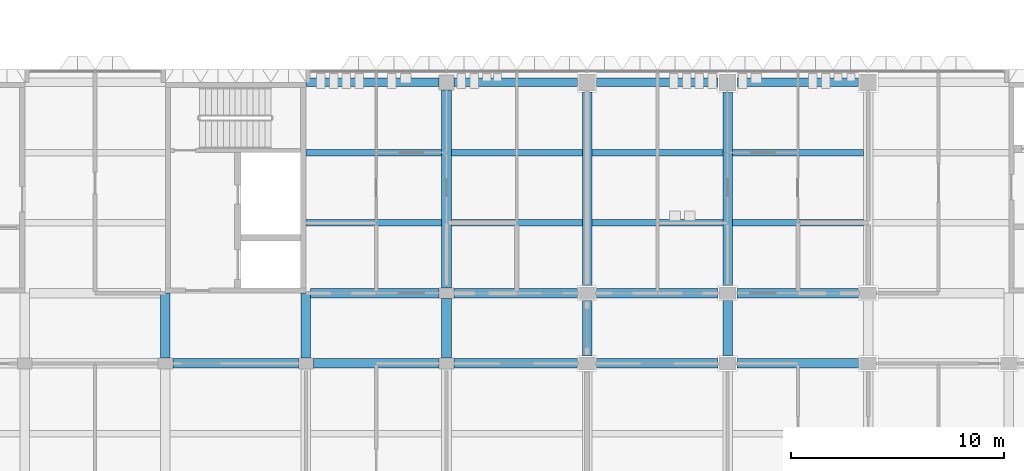
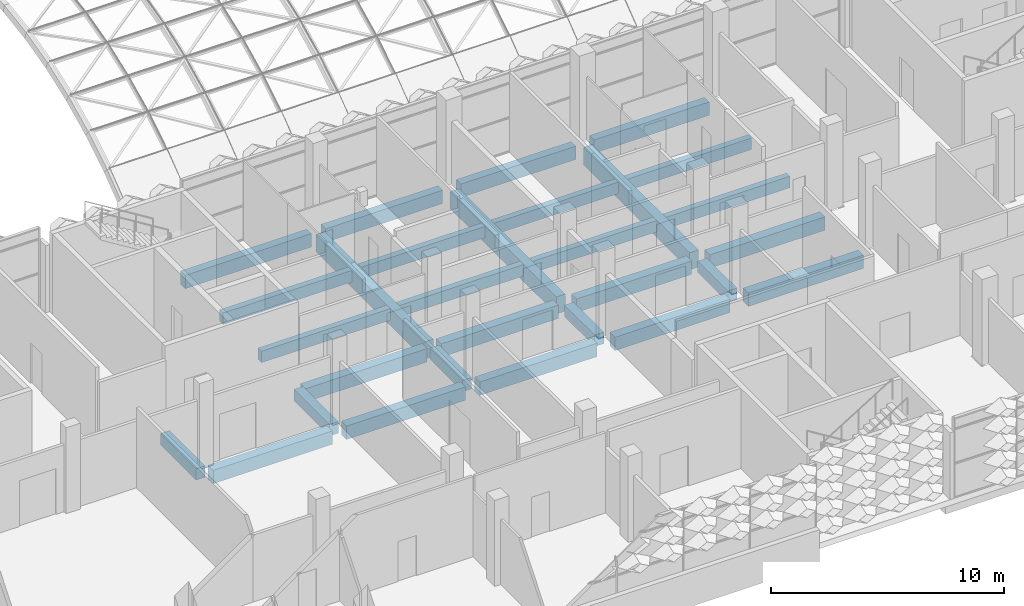
# One storey, part 8 of 85: 29 beams.
"""IFC4 building model written with IfcOpenShell, lengths in metres."""

from ifc_helpers import new_model, si_unit, direction, frame, origin, origin_2d, place, context, subcontext, project, spatial, rectangle, extrude, material, material_profile, profile_set, type_object, element, save


model = new_model("IFC4")

# Units and contexts
model_context = context("Model", 3, precision=1e-05, world=origin(), true_north=direction((0.0, 1.0)))
body_context = subcontext(model_context, "Body", "Model", "MODEL_VIEW")
ifc_project = project(units=[si_unit("LENGTHUNIT", "METRE"), si_unit("AREAUNIT", "SQUARE_METRE"), si_unit("VOLUMEUNIT", "CUBIC_METRE"), si_unit("PLANEANGLEUNIT", "RADIAN"), si_unit("MASSUNIT", "GRAM", prefix="KILO")], contexts=[model_context])

# Site, building, storey
site_placement = place(None, origin())
site = spatial("IfcSite", under=ifc_project, at=site_placement, CompositionType="ELEMENT")
building_placement = place(site_placement, origin())
building = spatial("IfcBuilding", under=site, at=building_placement, Name="Lantern Court Research Institute", CompositionType="ELEMENT")
storey_placement = place(building_placement, frame((0.0, 0.0, 18.89990234375)))
storey = spatial("IfcBuildingStorey", under=building, at=storey_placement, Name="L04", CompositionType="ELEMENT", Elevation=18.89990234375)

# Beams
ifc_material_1 = material(Name="Concrete C40/50", Category="concrete")
ifc_material_profile_1 = material_profile(ifc_material_1, rectangle(XDim=0.449951171875, YDim=0.699951171875, at=origin_2d()), Name="RC beam 450 x 700")
ifc_profile_set_1 = profile_set([ifc_material_profile_1], Name="Concrete C40/50")
beam_type_1 = type_object("IfcBeamType", Name="RC beam 450 x 700", PredefinedType="BEAM", material=ifc_profile_set_1)
beam_1_placement = place(storey_placement, frame((33.35009765625, 9.89990234375, -0.64990234375), z_axis=(1.0, 0.0, 0.0), x_axis=(0.0, 1.0, 0.0)))
element("IfcBeam", 1, at=beam_1_placement, inside=storey, type_object=beam_type_1, Name="Beam L04 grid B/6-7", PredefinedType="BEAM", context=body_context, shape_type="SweptSolid", body=[
    extrude(rectangle(XDim=0.449951171875, YDim=0.699951171875, at=origin_2d()), origin(), (0.0, 0.0, 1.0), 5.89990234375),
])
beam_2_placement = place(storey_placement, frame((39.949951171875, 9.89990234375, -0.64990234375), z_axis=(1.0, 0.0, 0.0), x_axis=(0.0, 1.0, 0.0)))
element("IfcBeam", 2, at=beam_2_placement, inside=storey, type_object=beam_type_1, Name="Beam L04 grid B/7-8", PredefinedType="BEAM", context=body_context, shape_type="SweptSolid", body=[
    extrude(rectangle(XDim=0.449951171875, YDim=0.699951171875, at=origin_2d()), origin(), (0.0, 0.0, 1.0), 5.900146484375),
])
beam_3_placement = place(storey_placement, frame((46.550048828125, 9.89990234375, -0.64990234375), z_axis=(1.0, 0.0, 0.0), x_axis=(0.0, 1.0, 0.0)))
element("IfcBeam", 3, at=beam_3_placement, inside=storey, type_object=beam_type_1, Name="Beam L04 grid B/8-9", PredefinedType="BEAM", context=body_context, shape_type="SweptSolid", body=[
    extrude(rectangle(XDim=0.449951171875, YDim=0.699951171875, at=origin_2d()), origin(), (0.0, 0.0, 1.0), 5.800048828125),
])
beam_4_placement = place(storey_placement, frame((39.824951171875, 13.199951171875, -0.64990234375), z_axis=(1.0, 0.0, 0.0), x_axis=(0.0, 1.0, 0.0)))
element("IfcBeam", 4, at=beam_4_placement, inside=storey, type_object=beam_type_1, Name="Beam L04 grid C/7-8", PredefinedType="BEAM", context=body_context, shape_type="SweptSolid", body=[
    extrude(rectangle(XDim=0.449951171875, YDim=0.699951171875, at=origin_2d()), origin(), (0.0, 0.0, 1.0), 6.025146484375),
])
beam_5_placement = place(storey_placement, frame((46.550048828125, 13.199951171875, -0.64990234375), z_axis=(1.0, 0.0, 0.0), x_axis=(0.0, 1.0, 0.0)))
element("IfcBeam", 5, at=beam_5_placement, inside=storey, type_object=beam_type_1, Name="Beam L04 grid C/8-9", PredefinedType="BEAM", context=body_context, shape_type="SweptSolid", body=[
    extrude(rectangle(XDim=0.449951171875, YDim=0.699951171875, at=origin_2d()), origin(), (0.0, 0.0, 1.0), 5.800048828125),
])
for number, where, z_axis, x_axis, name in (
    (6, (53.25, 9.89990234375, -0.64990234375), (1.0, 0.0, 0.0), (0.0, 1.0, 0.0), "Beam L04 grid B/9-10"),
    (7, (59.85009765625, 9.89990234375, -0.64990234375), (1.0, 0.0, 0.0), (0.0, 1.0, 0.0), "Beam L04 grid B/10-11"),
    (8, (53.25, 13.199951171875, -0.64990234375), (1.0, 0.0, 0.0), (0.0, 1.0, 0.0), "Beam L04 grid C/9-10"),
    (9, (59.85009765625, 13.199951171875, -0.64990234375), (1.0, 0.0, 0.0), (0.0, 1.0, 0.0), "Beam L04 grid C/10-11"),
):
    element("IfcBeam", number, at=place(storey_placement, frame(where, z_axis=z_axis, x_axis=x_axis)), inside=storey, type_object=beam_type_1, Name=name, PredefinedType="BEAM", context=body_context, shape_type="SweptSolid", body=[
        extrude(rectangle(XDim=0.449951171875, YDim=0.699951171875, at=origin_2d()), origin(), (0.0, 0.0, 1.0), 5.699951171875),
    ])
ifc_material_2 = material(Name="Concrete C40/50", Category="concrete")
ifc_material_profile_2 = material_profile(ifc_material_2, rectangle(XDim=0.39990234375, YDim=0.699951171875, at=origin_2d()), Name="RC beam 400 x 700")
ifc_profile_set_2 = profile_set([ifc_material_profile_2], Name="Concrete C40/50")
beam_type_2 = type_object("IfcBeamType", Name="RC edge beam 400 x 700", PredefinedType="BEAM", material=ifc_profile_set_2)
beam_6_placement = place(storey_placement, frame((39.60009765625, 23.10009765625, -0.64990234375), z_axis=(1.0, 0.0, 0.0), x_axis=(0.0, 1.0, 0.0)))
element("IfcBeam", 10, at=beam_6_placement, inside=storey, type_object=beam_type_2, Name="Edge beam L04 grid D/7-8", PredefinedType="BEAM", context=body_context, shape_type="SweptSolid", body=[
    extrude(rectangle(XDim=0.39990234375, YDim=0.699951171875, at=origin_2d()), origin(), (0.0, 0.0, 1.0), 6.25),
])
beam_7_placement = place(storey_placement, frame((46.550048828125, 23.10009765625, -0.64990234375), z_axis=(1.0, 0.0, 0.0), x_axis=(0.0, 1.0, 0.0)))
element("IfcBeam", 11, at=beam_7_placement, inside=storey, type_object=beam_type_2, Name="Edge beam L04 grid D/8-9", PredefinedType="BEAM", context=body_context, shape_type="SweptSolid", body=[
    extrude(rectangle(XDim=0.39990234375, YDim=0.699951171875, at=origin_2d()), origin(), (0.0, 0.0, 1.0), 5.800048828125),
])
for number, where, z_axis, x_axis, name in (
    (12, (53.25, 23.10009765625, -0.64990234375), (1.0, 0.0, 0.0), (0.0, 1.0, 0.0), "Edge beam L04 grid D/9-10"),
    (13, (59.85009765625, 23.10009765625, -0.64990234375), (1.0, 0.0, 0.0), (0.0, 1.0, 0.0), "Edge beam L04 grid D/10-11"),
):
    element("IfcBeam", number, at=place(storey_placement, frame(where, z_axis=z_axis, x_axis=x_axis)), inside=storey, type_object=beam_type_2, Name=name, PredefinedType="BEAM", context=body_context, shape_type="SweptSolid", body=[
        extrude(rectangle(XDim=0.39990234375, YDim=0.699951171875, at=origin_2d()), origin(), (0.0, 0.0, 1.0), 5.699951171875),
    ])
ifc_material_3 = material(Name="Concrete C40/50", Category="concrete")
ifc_material_profile_3 = material_profile(ifc_material_3, rectangle(XDim=0.449951171875, YDim=0.89990234375, at=origin_2d()), Name="RC beam 450 x 900")
ifc_profile_set_3 = profile_set([ifc_material_profile_3], Name="Concrete C40/50")
beam_type_3 = type_object("IfcBeamType", Name="RC girder 450 x 900", PredefinedType="BEAM", material=ifc_profile_set_3)
beam_8_placement = place(storey_placement, frame((46.199951171875, 13.449951171875, -0.75), z_axis=(0.0, 1.0, 0.0), x_axis=(-1.0, 0.0, 0.0)))
element("IfcBeam", 14, at=beam_8_placement, inside=storey, type_object=beam_type_3, Name="Girder L04 grid 8/C-D", PredefinedType="BEAM", context=body_context, shape_type="SweptSolid", body=[
    extrude(rectangle(XDim=0.449951171875, YDim=0.89990234375, at=origin_2d()), origin(), (0.0, 0.0, 1.0), 9.300048828125),
])
for number, where, z_axis, x_axis, name in (
    (15, (52.800048828125, 13.550048828125, -0.75), (0.0, 1.0, 0.0), (-1.0, 0.0, 0.0), "Girder L04 grid 9/C-D"),
    (16, (59.39990234375, 13.550048828125, -0.75), (0.0, 1.0, 0.0), (-1.0, 0.0, 0.0), "Girder L04 grid 10/C-D"),
):
    element("IfcBeam", number, at=place(storey_placement, frame(where, z_axis=z_axis, x_axis=x_axis)), inside=storey, type_object=beam_type_3, Name=name, PredefinedType="BEAM", context=body_context, shape_type="SweptSolid", body=[
        extrude(rectangle(XDim=0.449951171875, YDim=0.89990234375, at=origin_2d()), origin(), (0.0, 0.0, 1.0), 9.099853515625),
    ])
ifc_material_4 = material(Name="Concrete C40/50", Category="concrete")
ifc_material_profile_4 = material_profile(ifc_material_4, rectangle(XDim=0.300048828125, YDim=0.60009765625, at=origin_2d()), Name="RC beam 300 x 600")
ifc_profile_set_4 = profile_set([ifc_material_profile_4], Name="Concrete C40/50")
beam_type_4 = type_object("IfcBeamType", Name="RC secondary beam 300 x 600", PredefinedType="BEAM", material=ifc_profile_set_4)
beam_9_placement = place(storey_placement, frame((39.60009765625, 16.5, -0.599853515625), z_axis=(1.0, 0.0, 0.0), x_axis=(0.0, 1.0, 0.0)))
element("IfcBeam", 17, at=beam_9_placement, inside=storey, type_object=beam_type_4, Name="Secondary beam L04 grids 7-8 / C-D, line 1", PredefinedType="BEAM", context=body_context, shape_type="SweptSolid", body=[
    extrude(rectangle(XDim=0.300048828125, YDim=0.60009765625, at=origin_2d()), origin(), (0.0, 0.0, 1.0), 6.375),
])
beam_10_placement = place(storey_placement, frame((46.425048828125, 16.5, -0.599853515625), z_axis=(1.0, 0.0, 0.0), x_axis=(0.0, 1.0, 0.0)))
element("IfcBeam", 18, at=beam_10_placement, inside=storey, type_object=beam_type_4, Name="Secondary beam L04 grids 8-9 / C-D, line 1", PredefinedType="BEAM", context=body_context, shape_type="SweptSolid", body=[
    extrude(rectangle(XDim=0.300048828125, YDim=0.60009765625, at=origin_2d()), origin(), (0.0, 0.0, 1.0), 6.14990234375),
])
beam_11_placement = place(storey_placement, frame((39.60009765625, 19.800048828125, -0.599853515625), z_axis=(1.0, 0.0, 0.0), x_axis=(0.0, 1.0, 0.0)))
element("IfcBeam", 19, at=beam_11_placement, inside=storey, type_object=beam_type_4, Name="Secondary beam L04 grids 7-8 / C-D, line 2", PredefinedType="BEAM", context=body_context, shape_type="SweptSolid", body=[
    extrude(rectangle(XDim=0.300048828125, YDim=0.60009765625, at=origin_2d()), origin(), (0.0, 0.0, 1.0), 6.375),
])
beam_12_placement = place(storey_placement, frame((46.425048828125, 19.800048828125, -0.599853515625), z_axis=(1.0, 0.0, 0.0), x_axis=(0.0, 1.0, 0.0)))
element("IfcBeam", 20, at=beam_12_placement, inside=storey, type_object=beam_type_4, Name="Secondary beam L04 grids 8-9 / C-D, line 2", PredefinedType="BEAM", context=body_context, shape_type="SweptSolid", body=[
    extrude(rectangle(XDim=0.300048828125, YDim=0.60009765625, at=origin_2d()), origin(), (0.0, 0.0, 1.0), 6.14990234375),
])
beam_13_placement = place(storey_placement, frame((53.02490234375, 16.5, -0.599853515625), z_axis=(1.0, 0.0, 0.0), x_axis=(0.0, 1.0, 0.0)))
element("IfcBeam", 21, at=beam_13_placement, inside=storey, type_object=beam_type_4, Name="Secondary beam L04 grids 9-10 / C-D, line 1", PredefinedType="BEAM", context=body_context, shape_type="SweptSolid", body=[
    extrude(rectangle(XDim=0.300048828125, YDim=0.60009765625, at=origin_2d()), origin(), (0.0, 0.0, 1.0), 6.150146484375),
])
beam_14_placement = place(storey_placement, frame((59.625, 16.5, -0.599853515625), z_axis=(1.0, 0.0, 0.0), x_axis=(0.0, 1.0, 0.0)))
element("IfcBeam", 22, at=beam_14_placement, inside=storey, type_object=beam_type_4, Name="Secondary beam L04 grids 10-11 / C-D, line 1", PredefinedType="BEAM", context=body_context, shape_type="SweptSolid", body=[
    extrude(rectangle(XDim=0.300048828125, YDim=0.60009765625, at=origin_2d()), origin(), (0.0, 0.0, 1.0), 6.14990234375),
])
beam_15_placement = place(storey_placement, frame((53.02490234375, 19.800048828125, -0.599853515625), z_axis=(1.0, 0.0, 0.0), x_axis=(0.0, 1.0, 0.0)))
element("IfcBeam", 23, at=beam_15_placement, inside=storey, type_object=beam_type_4, Name="Secondary beam L04 grids 9-10 / C-D, line 2", PredefinedType="BEAM", context=body_context, shape_type="SweptSolid", body=[
    extrude(rectangle(XDim=0.300048828125, YDim=0.60009765625, at=origin_2d()), origin(), (0.0, 0.0, 1.0), 6.150146484375),
])
beam_16_placement = place(storey_placement, frame((59.625, 19.800048828125, -0.599853515625), z_axis=(1.0, 0.0, 0.0), x_axis=(0.0, 1.0, 0.0)))
element("IfcBeam", 24, at=beam_16_placement, inside=storey, type_object=beam_type_4, Name="Secondary beam L04 grids 10-11 / C-D, line 2", PredefinedType="BEAM", context=body_context, shape_type="SweptSolid", body=[
    extrude(rectangle(XDim=0.300048828125, YDim=0.60009765625, at=origin_2d()), origin(), (0.0, 0.0, 1.0), 6.14990234375),
])
ifc_material_5 = material(Name="Concrete C40/50", Category="concrete")
ifc_material_profile_5 = material_profile(ifc_material_5, rectangle(XDim=0.449951171875, YDim=0.60009765625, at=origin_2d()), Name="RC beam 450 x 600")
ifc_profile_set_5 = profile_set([ifc_material_profile_5], Name="Concrete C40/50")
beam_type_5 = type_object("IfcBeamType", Name="RC spine beam 450 x 600", PredefinedType="BEAM", material=ifc_profile_set_5)
for number, where, z_axis, x_axis, name in (
    (25, (33.0, 10.14990234375, -0.599853515625), (0.0, 1.0, 0.0), (-1.0, 0.0, 0.0), "Beam L04 grid 6/B-C"),
    (26, (39.60009765625, 10.14990234375, -0.599853515625), (0.0, 1.0, 0.0), (-1.0, 0.0, 0.0), "Beam L04 grid 7/B-C"),
):
    element("IfcBeam", number, at=place(storey_placement, frame(where, z_axis=z_axis, x_axis=x_axis)), inside=storey, type_object=beam_type_5, Name=name, PredefinedType="BEAM", context=body_context, shape_type="SweptSolid", body=[
        extrude(rectangle(XDim=0.449951171875, YDim=0.60009765625, at=origin_2d()), origin(), (0.0, 0.0, 1.0), 3.050048828125),
    ])
beam_17_placement = place(storey_placement, frame((46.199951171875, 10.14990234375, -0.599853515625), z_axis=(0.0, 1.0, 0.0), x_axis=(-1.0, 0.0, 0.0)))
element("IfcBeam", 27, at=beam_17_placement, inside=storey, type_object=beam_type_5, Name="Beam L04 grid 8/B-C", PredefinedType="BEAM", context=body_context, shape_type="SweptSolid", body=[
    extrude(rectangle(XDim=0.449951171875, YDim=0.60009765625, at=origin_2d()), origin(), (0.0, 0.0, 1.0), 2.800048828125),
])
for number, where, z_axis, x_axis, name in (
    (28, (52.800048828125, 10.25, -0.599853515625), (0.0, 1.0, 0.0), (-1.0, 0.0, 0.0), "Beam L04 grid 9/B-C"),
    (29, (59.39990234375, 10.25, -0.599853515625), (0.0, 1.0, 0.0), (-1.0, 0.0, 0.0), "Beam L04 grid 10/B-C"),
):
    element("IfcBeam", number, at=place(storey_placement, frame(where, z_axis=z_axis, x_axis=x_axis)), inside=storey, type_object=beam_type_5, Name=name, PredefinedType="BEAM", context=body_context, shape_type="SweptSolid", body=[
        extrude(rectangle(XDim=0.449951171875, YDim=0.60009765625, at=origin_2d()), origin(), (0.0, 0.0, 1.0), 2.60009765625),
    ])

save(model, "model.ifc")
